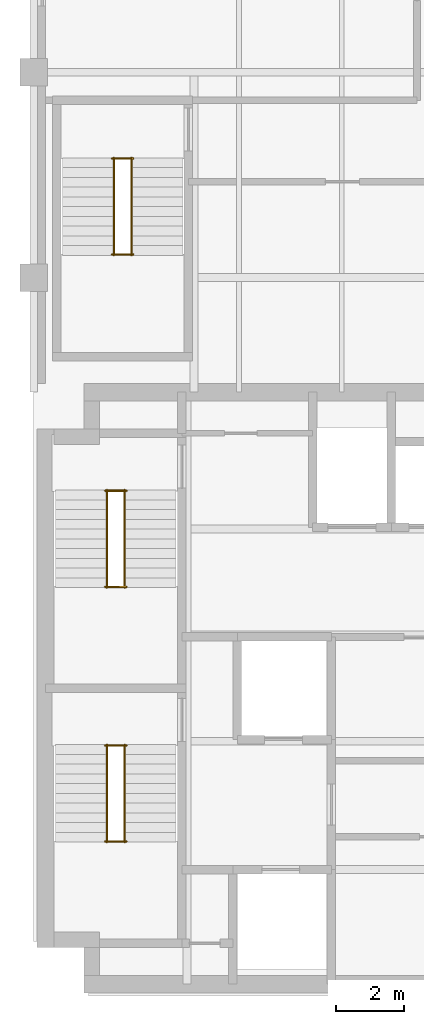
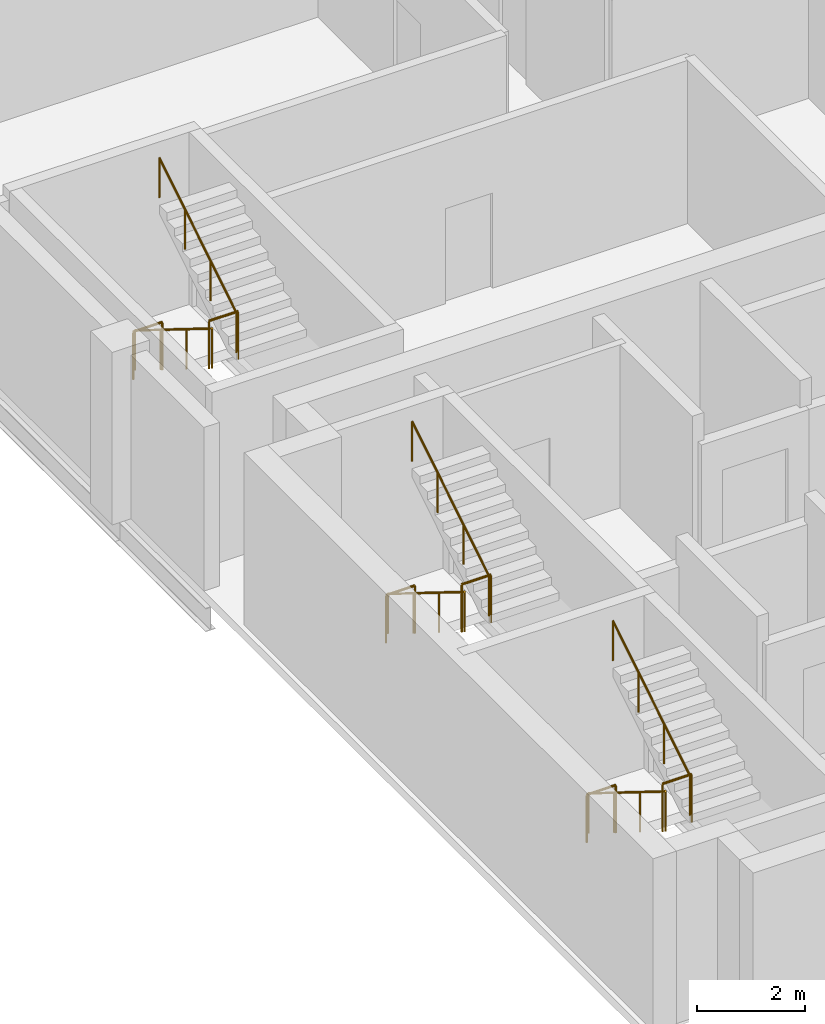
# One storey, part 7 of 7: 12 railings.
"""IFC4 building model written with IfcOpenShell, lengths in metres."""

import ifcopenshell
import ifcopenshell.guid

model = None  # the IFC model being written
_history = None  # IfcOwnerHistory: only IFC2X3 demands one
_inside = {}  # id of a spatial element -> (the spatial element, [elements in it])
_under = {}  # id of a project, library or spatial element -> (it, [spatial elements below it])
_declared = {}  # id of a project -> (the project, [libraries it declares])
_typed = {}  # id of a type object -> (the type object, [elements of that type])
_made_of = {}  # id of a material, layer set ... -> (it, [elements and type objects made of it])


def new_model(schema):
    """Start an empty IFC model of exactly this schema.

    Asked for "IFC4X3", IfcOpenShell would pick the latest addendum, in which some entities
    have other attributes; the version numbers below select the first issue.
    IFC2X3 requires an IfcOwnerHistory on every rooted entity: one is made here for all.
    """
    global model, _history
    if schema == "IFC4X3":
        model = ifcopenshell.file(schema_version=(4, 3, 0, 0))
    else:
        model = ifcopenshell.file(schema=schema)
    _inside.clear()
    _under.clear()
    _declared.clear()
    _typed.clear()
    _made_of.clear()
    _history = None
    if model.schema == "IFC2X3":
        org = make("IfcOrganization", Name="unknown")
        user = make(
            "IfcPersonAndOrganization",
            ThePerson=make("IfcPerson", FamilyName="unknown"),
            TheOrganization=org,
        )
        app = make(
            "IfcApplication",
            ApplicationDeveloper=org,
            Version="unknown",
            ApplicationFullName="unknown",
            ApplicationIdentifier="unknown",
        )
        _history = make(
            "IfcOwnerHistory",
            OwningUser=user,
            OwningApplication=app,
            ChangeAction="ADDED",
            CreationDate=0,
        )
    return model


def make(cls, **values):
    """One entity of the class cls with the attributes given. An attribute that is None is left unset."""
    return model.create_entity(
        cls, **{name: value for name, value in values.items() if value is not None}
    )


def rooted(cls, **values):
    """An entity with a GlobalId (a new one), such as an element, a storey or a relation."""
    return make(cls, GlobalId=ifcopenshell.guid.new(), OwnerHistory=_history, **values)


def si_unit(unit_type, name, prefix=None):
    """IfcSIUnit, for example si_unit("LENGTHUNIT", "METRE", prefix="MILLI")."""
    return make("IfcSIUnit", UnitType=unit_type, Prefix=prefix, Name=name)


def assignment(units):
    """IfcUnitAssignment: the units of a project."""
    return None if units is None else make("IfcUnitAssignment", Units=units)


def point(xyz):
    """IfcCartesianPoint."""
    return None if xyz is None else make("IfcCartesianPoint", Coordinates=xyz)


def direction(xyz):
    """IfcDirection."""
    return None if xyz is None else make("IfcDirection", DirectionRatios=xyz)


def frame(location, z_axis=None, x_axis=None):
    """IfcAxis2Placement3D, a coordinate frame: its origin and axes. An axis left out is left unset."""
    return make(
        "IfcAxis2Placement3D",
        Location=point(location),
        Axis=direction(z_axis),
        RefDirection=direction(x_axis),
    )


def frame_2d(location, x_axis=None):
    """IfcAxis2Placement2D, a coordinate frame in the plane: its origin and x axis."""
    return make(
        "IfcAxis2Placement2D", Location=point(location), RefDirection=direction(x_axis)
    )


def origin():
    """The frame at (0, 0, 0) with its axes left unset."""
    return frame((0.0, 0.0, 0.0))


def origin_2d():
    """The frame at (0, 0) in the plane with its x axis left unset."""
    return frame_2d((0.0, 0.0))


def place(relative_to, where):
    """IfcLocalPlacement: puts the frame where relative to a parent placement (None: the world)."""
    return make(
        "IfcLocalPlacement", PlacementRelTo=relative_to, RelativePlacement=where
    )


def context(
    kind, dimensions, precision=None, world=None, true_north=None, identifier=None
):
    """IfcGeometricRepresentationContext, for example the 3D "Model" context."""
    return make(
        "IfcGeometricRepresentationContext",
        ContextIdentifier=identifier,
        ContextType=kind,
        CoordinateSpaceDimension=dimensions,
        Precision=precision,
        WorldCoordinateSystem=world,
        TrueNorth=true_north,
    )


def subcontext(parent, identifier, kind, view, scale=None):
    """IfcGeometricRepresentationSubContext, for example "Body" below "Model"."""
    return make(
        "IfcGeometricRepresentationSubContext",
        ContextIdentifier=identifier,
        ContextType=kind,
        ParentContext=parent,
        TargetScale=scale,
        TargetView=view,
    )


def project(units=None, contexts=None):
    """IfcProject with its units and contexts."""
    return rooted(
        "IfcProject",
        Name="project",
        RepresentationContexts=contexts,
        UnitsInContext=assignment(units),
    )


def spatial(cls, under=None, at=None, **own):
    """A site, building, storey or space (cls), placed at a placement, below another one or the project."""
    s = rooted(cls, ObjectPlacement=at, **own)
    if under is not None:
        _under.setdefault(under.id(), (under, []))[1].append(s)
    return s


def profile(cls, at=None, kind="AREA", **sizes):
    """A parametric profile (cls). Its sizes go by their IFC names, for example OverallWidth=200.0."""
    return make(cls, ProfileType=kind, Position=at, **sizes)


def circle(**sizes):
    """IfcCircleProfileDef."""
    return profile("IfcCircleProfileDef", **sizes)


def extrude(swept, where, along, depth):
    """IfcExtrudedAreaSolid: the profile swept, set in the frame where, extruded along a direction by depth."""
    return make(
        "IfcExtrudedAreaSolid",
        SweptArea=swept,
        Position=where,
        ExtrudedDirection=direction(along),
        Depth=depth,
    )


def shape(context_of_items, identifier, shape_type, items):
    """IfcShapeRepresentation: the items that make up one representation, for example the "Body"."""
    return make(
        "IfcShapeRepresentation",
        ContextOfItems=context_of_items,
        RepresentationIdentifier=identifier,
        RepresentationType=shape_type,
        Items=items,
    )


def material(Name=None, Category=None):
    """IfcMaterial."""
    return make("IfcMaterial", Name=Name, Category=Category)


def made_of(thing, what):
    """Note that an element or type object is made of a material, layer set ...; save() writes the relation."""
    if what is not None:
        _made_of.setdefault(what.id(), (what, []))[1].append(thing)
    return thing


def type_object(cls, material=None, **own):
    """A type object (cls), such as IfcWallType, which elements share."""
    return made_of(rooted(cls, **own), material)


def element(
    cls,
    number,
    at=None,
    inside=None,
    cuts=None,
    type_object=None,
    material=None,
    context=None,
    identifier="Body",
    shape_type=None,
    held_by="IfcProductDefinitionShape",
    body=None,
    shapes=None,
    **own,
):
    """One element of the class cls, such as IfcWall. Its Tag is "e" and its number.

    at: its placement. inside: the storey or other place that contains it. cuts: it is an
    opening in that element (IfcRelVoidsElement). A single representation is given by context,
    identifier, shape_type and body (its items); several are given by shapes. held_by: the class
    of the entity that holds the representations. save() writes the other relations.
    """
    e = rooted(cls, Tag="e%d" % number, ObjectPlacement=at, **own)
    if body is not None:
        shapes = [shape(context, identifier, shape_type, body)]
    if shapes is not None:
        e.Representation = make(held_by, Representations=shapes)
    if inside is not None:
        _inside.setdefault(inside.id(), (inside, []))[1].append(e)
    if cuts is not None:
        rooted(
            "IfcRelVoidsElement", RelatingBuildingElement=cuts, RelatedOpeningElement=e
        )
    if type_object is not None:
        _typed.setdefault(type_object.id(), (type_object, []))[1].append(e)
    return made_of(e, material)


def aggregate(whole, parts):
    """IfcRelAggregates: a whole, such as a stair, and the parts it consists of."""
    return rooted("IfcRelAggregates", RelatingObject=whole, RelatedObjects=parts)


def save(model, path):
    """Write the relations noted so far, then the file.

    IfcRelAggregates (storeys below a building ...), IfcRelContainedInSpatialStructure (elements
    in a storey), IfcRelDefinesByType, IfcRelAssociatesMaterial and IfcRelDeclares: one each for
    every whole, place, type object, material and project.
    """
    for whole, parts in _under.values():
        aggregate(whole, parts)
    for where, things in _inside.values():
        rooted(
            "IfcRelContainedInSpatialStructure",
            RelatedElements=things,
            RelatingStructure=where,
        )
    for kind, things in _typed.values():
        rooted("IfcRelDefinesByType", RelatedObjects=things, RelatingType=kind)
    for what, things in _made_of.values():
        rooted("IfcRelAssociatesMaterial", RelatedObjects=things, RelatingMaterial=what)
    for by, libraries in _declared.values():
        rooted("IfcRelDeclares", RelatingContext=by, RelatedDefinitions=libraries)
    model.write(path)


model = new_model("IFC4")

# Units and contexts
model_context = context("Model", 3, precision=1e-05, world=origin(), true_north=direction((0.0, 1.0)))
body_context = subcontext(model_context, "Body", "Model", "MODEL_VIEW")
ifc_project = project(units=[si_unit("LENGTHUNIT", "METRE"), si_unit("AREAUNIT", "SQUARE_METRE"), si_unit("VOLUMEUNIT", "CUBIC_METRE"), si_unit("PLANEANGLEUNIT", "RADIAN"), si_unit("MASSUNIT", "GRAM", prefix="KILO")], contexts=[model_context])

# Site, building, storey
site_placement = place(None, origin())
site = spatial("IfcSite", under=ifc_project, at=site_placement, CompositionType="ELEMENT")
building_placement = place(site_placement, origin())
building = spatial("IfcBuilding", under=site, at=building_placement, Name="Mawjdan Bourse Tower", CompositionType="ELEMENT")
storey_placement = place(building_placement, frame((0.0, 0.0, 235.199951171875)))
storey = spatial("IfcBuildingStorey", under=building, at=storey_placement, Name="L57", CompositionType="ELEMENT", Elevation=235.199951171875)

# Railings
ifc_material_1 = material(Name="Structural Steel S355", Category="steel")
railing_type_1 = type_object("IfcRailingType", Name="RLG-GRD-1100", PredefinedType="GUARDRAIL", material=ifc_material_1)
for number, where, name in (
    (1, (8.090087890625, 7.52001953125, 1.949951171875), "L57 ST1 Landing Guardrail GL-MID"),
    (2, (8.090087890625, 10.330078125, 0.0), "L57 ST1 Landing Guardrail GL-BOT"),
    (3, (8.090087890625, 14.9599609375, 1.949951171875), "L57 ST2 Landing Guardrail GL-MID"),
    (4, (8.090087890625, 17.77001953125, 0.0), "L57 ST2 Landing Guardrail GL-BOT"),
    (5, (8.2900390625, 24.669921875, 1.949951171875), "L57 ST3 Landing Guardrail GL-MID"),
    (6, (8.2900390625, 27.47998046875, 0.0), "L57 ST3 Landing Guardrail GL-BOT"),
):
    element("IfcRailing", number, at=place(storey_placement, frame(where)), inside=storey, type_object=railing_type_1, Name=name, PredefinedType="GUARDRAIL", context=body_context, shape_type="SweptSolid", body=[
        extrude(circle(Radius=0.02490234375, at=origin_2d()), frame((0.0, 0.0, 1.0751953125), z_axis=(1.0, 0.0, 0.0), x_axis=(0.0, 1.0, 0.0)), (0.0, 0.0, 1.0), 0.619873046875),
        extrude(circle(Radius=0.02099609375, at=origin_2d()), origin(), (0.0, 0.0, 1.0), 1.050048828125),
        extrude(circle(Radius=0.02099609375, at=origin_2d()), frame((0.619873046875, 0.0, 0.0)), (0.0, 0.0, 1.0), 1.050048828125),
    ])
ifc_material_2 = material(Name="Brushed Stainless Steel", Category="steel")
railing_type_2 = type_object("IfcRailingType", Name="RLG-HND-920", PredefinedType="HANDRAIL", material=ifc_material_2)
railing_1_placement = place(storey_placement, frame((8.139892578125, 10.35009765625, 0.17724609375)))
element("IfcRailing", 7, at=railing_1_placement, inside=storey, type_object=railing_type_2, Name="L57 ST1 Flight Handrail HR1", PredefinedType="HANDRAIL", context=body_context, shape_type="SweptSolid", body=[
    extrude(circle(Radius=0.0224609375, at=origin_2d()), frame((0.0, 0.0, 0.8974609375), z_axis=(0.0, -0.849148672731, 0.528153890072), x_axis=(1.0, 0.0, 0.0)), (0.0, 0.0, 1.0), 3.3564453125),
    extrude(circle(Radius=0.01904296875, at=origin_2d()), origin(), (0.0, 0.0, 1.0), 0.875),
    extrude(circle(Radius=0.01904296875, at=origin_2d()), frame((0.0, -0.949951171875, 0.5908203125)), (0.0, 0.0, 1.0), 0.875),
    extrude(circle(Radius=0.01904296875, at=origin_2d()), frame((0.0, -1.900146484375, 1.181884765625)), (0.0, 0.0, 1.0), 0.875),
    extrude(circle(Radius=0.01904296875, at=origin_2d()), frame((0.0, -2.85009765625, 1.772705078125)), (0.0, 0.0, 1.0), 0.875),
])
railing_2_placement = place(storey_placement, frame((8.659912109375, 7.5, 2.12744140625)))
element("IfcRailing", 8, at=railing_2_placement, inside=storey, type_object=railing_type_2, Name="L57 ST1 Flight Handrail HR2", PredefinedType="HANDRAIL", context=body_context, shape_type="SweptSolid", body=[
    extrude(circle(Radius=0.0224609375, at=origin_2d()), frame((0.0, 0.0, 0.8974609375), z_axis=(0.0, 0.849148672731, 0.528153890072), x_axis=(-1.0, 0.0, 0.0)), (0.0, 0.0, 1.0), 3.3564453125),
    extrude(circle(Radius=0.01904296875, at=origin_2d()), origin(), (0.0, 0.0, 1.0), 0.875),
    extrude(circle(Radius=0.01904296875, at=origin_2d()), frame((0.0, 0.949951171875, 0.5908203125)), (0.0, 0.0, 1.0), 0.875),
    extrude(circle(Radius=0.01904296875, at=origin_2d()), frame((0.0, 1.900146484375, 1.181884765625)), (0.0, 0.0, 1.0), 0.875),
    extrude(circle(Radius=0.01904296875, at=origin_2d()), frame((0.0, 2.85009765625, 1.772705078125)), (0.0, 0.0, 1.0), 0.875),
])
railing_3_placement = place(storey_placement, frame((8.139892578125, 17.7900390625, 0.17724609375)))
element("IfcRailing", 9, at=railing_3_placement, inside=storey, type_object=railing_type_2, Name="L57 ST2 Flight Handrail HR1", PredefinedType="HANDRAIL", context=body_context, shape_type="SweptSolid", body=[
    extrude(circle(Radius=0.0224609375, at=origin_2d()), frame((0.0, 0.0, 0.8974609375), z_axis=(0.0, -0.849148672731, 0.528153890072), x_axis=(1.0, 0.0, 0.0)), (0.0, 0.0, 1.0), 3.3564453125),
    extrude(circle(Radius=0.01904296875, at=origin_2d()), origin(), (0.0, 0.0, 1.0), 0.875),
    extrude(circle(Radius=0.01904296875, at=origin_2d()), frame((0.0, -0.949951171875, 0.5908203125)), (0.0, 0.0, 1.0), 0.875),
    extrude(circle(Radius=0.01904296875, at=origin_2d()), frame((0.0, -1.900146484375, 1.181884765625)), (0.0, 0.0, 1.0), 0.875),
    extrude(circle(Radius=0.01904296875, at=origin_2d()), frame((0.0, -2.85009765625, 1.772705078125)), (0.0, 0.0, 1.0), 0.875),
])
railing_4_placement = place(storey_placement, frame((8.659912109375, 14.93994140625, 2.12744140625)))
element("IfcRailing", 10, at=railing_4_placement, inside=storey, type_object=railing_type_2, Name="L57 ST2 Flight Handrail HR2", PredefinedType="HANDRAIL", context=body_context, shape_type="SweptSolid", body=[
    extrude(circle(Radius=0.0224609375, at=origin_2d()), frame((0.0, 0.0, 0.8974609375), z_axis=(0.0, 0.849148672731, 0.528153890072), x_axis=(-1.0, 0.0, 0.0)), (0.0, 0.0, 1.0), 3.3564453125),
    extrude(circle(Radius=0.01904296875, at=origin_2d()), origin(), (0.0, 0.0, 1.0), 0.875),
    extrude(circle(Radius=0.01904296875, at=origin_2d()), frame((0.0, 0.949951171875, 0.5908203125)), (0.0, 0.0, 1.0), 0.875),
    extrude(circle(Radius=0.01904296875, at=origin_2d()), frame((0.0, 1.900146484375, 1.181884765625)), (0.0, 0.0, 1.0), 0.875),
    extrude(circle(Radius=0.01904296875, at=origin_2d()), frame((0.0, 2.85009765625, 1.772705078125)), (0.0, 0.0, 1.0), 0.875),
])
railing_5_placement = place(storey_placement, frame((8.340087890625, 27.5, 0.17724609375)))
element("IfcRailing", 11, at=railing_5_placement, inside=storey, type_object=railing_type_2, Name="L57 ST3 Flight Handrail HR1", PredefinedType="HANDRAIL", context=body_context, shape_type="SweptSolid", body=[
    extrude(circle(Radius=0.0224609375, at=origin_2d()), frame((0.0, 0.0, 0.8974609375), z_axis=(0.0, -0.849148672731, 0.528153890072), x_axis=(1.0, 0.0, 0.0)), (0.0, 0.0, 1.0), 3.3564453125),
    extrude(circle(Radius=0.01904296875, at=origin_2d()), origin(), (0.0, 0.0, 1.0), 0.875),
    extrude(circle(Radius=0.01904296875, at=origin_2d()), frame((0.0, -0.949951171875, 0.5908203125)), (0.0, 0.0, 1.0), 0.875),
    extrude(circle(Radius=0.01904296875, at=origin_2d()), frame((0.0, -1.900146484375, 1.181884765625)), (0.0, 0.0, 1.0), 0.875),
    extrude(circle(Radius=0.01904296875, at=origin_2d()), frame((0.0, -2.85009765625, 1.772705078125)), (0.0, 0.0, 1.0), 0.875),
])
railing_6_placement = place(storey_placement, frame((8.860107421875, 24.64990234375, 2.12744140625)))
element("IfcRailing", 12, at=railing_6_placement, inside=storey, type_object=railing_type_2, Name="L57 ST3 Flight Handrail HR2", PredefinedType="HANDRAIL", context=body_context, shape_type="SweptSolid", body=[
    extrude(circle(Radius=0.0224609375, at=origin_2d()), frame((0.0, 0.0, 0.8974609375), z_axis=(0.0, 0.849148672731, 0.528153890072), x_axis=(-1.0, 0.0, 0.0)), (0.0, 0.0, 1.0), 3.3564453125),
    extrude(circle(Radius=0.01904296875, at=origin_2d()), origin(), (0.0, 0.0, 1.0), 0.875),
    extrude(circle(Radius=0.01904296875, at=origin_2d()), frame((0.0, 0.949951171875, 0.5908203125)), (0.0, 0.0, 1.0), 0.875),
    extrude(circle(Radius=0.01904296875, at=origin_2d()), frame((0.0, 1.900146484375, 1.181884765625)), (0.0, 0.0, 1.0), 0.875),
    extrude(circle(Radius=0.01904296875, at=origin_2d()), frame((0.0, 2.85009765625, 1.772705078125)), (0.0, 0.0, 1.0), 0.875),
])

save(model, "model.ifc")
